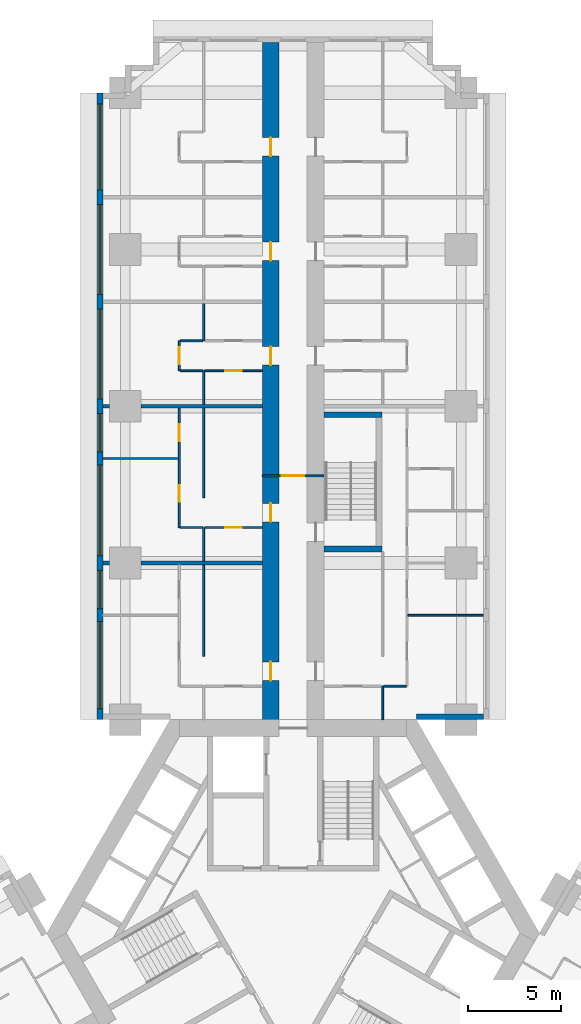
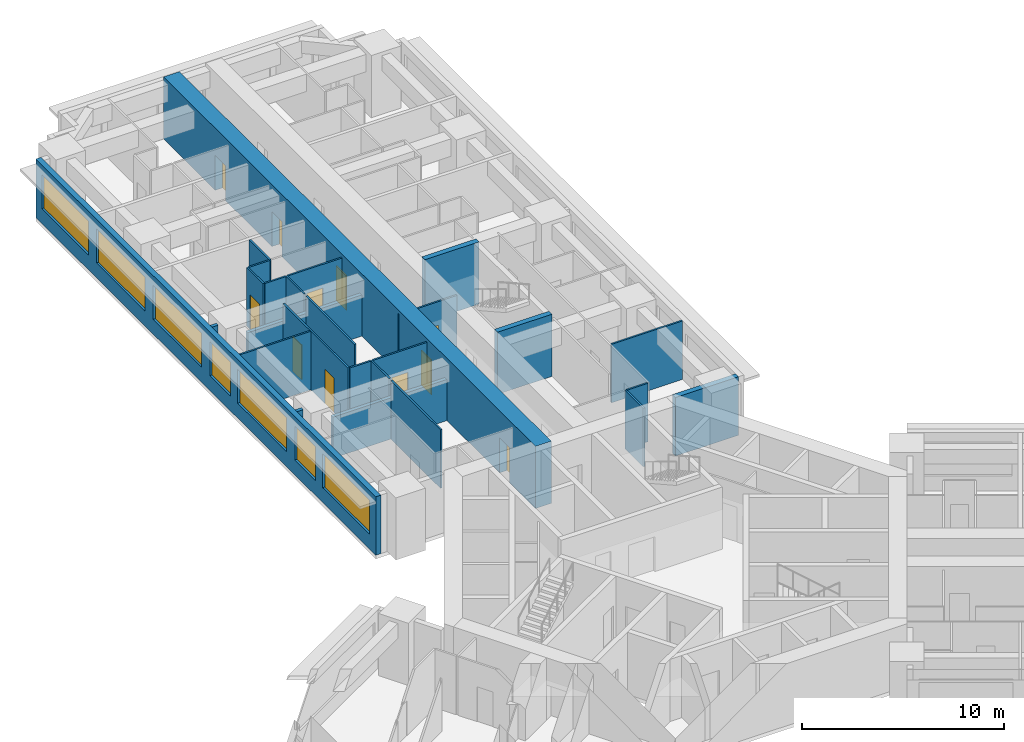
# One storey, part 9 of 16: 26 walls, 11 doors, 7 windows, 18 openings.
"""IFC4 building model written with IfcOpenShell, lengths in metres."""

from ifc_helpers import new_model, si_unit, direction, frame, frame_2d, origin, place, context, subcontext, project, spatial, rectangle, extrude, material, layer, layer_set, type_object, element, fill, save


model = new_model("IFC4")

# Units and contexts
model_context = context("Model", 3, precision=1e-05, world=origin(), true_north=direction((0.0, 1.0)))
body_context = subcontext(model_context, "Body", "Model", "MODEL_VIEW")
ifc_project = project(units=[si_unit("LENGTHUNIT", "METRE"), si_unit("AREAUNIT", "SQUARE_METRE"), si_unit("VOLUMEUNIT", "CUBIC_METRE"), si_unit("PLANEANGLEUNIT", "RADIAN"), si_unit("MASSUNIT", "GRAM", prefix="KILO")], contexts=[model_context])

# Site, building, storey
site_placement = place(None, origin())
site = spatial("IfcSite", under=ifc_project, at=site_placement, CompositionType="ELEMENT")
building_placement = place(site_placement, origin())
building = spatial("IfcBuilding", under=site, at=building_placement, Name="Impinga Residences", CompositionType="ELEMENT")
storey_placement = place(building_placement, frame((0.0, 0.0, 44.75)))
storey = spatial("IfcBuildingStorey", under=building, at=storey_placement, Name="L10", CompositionType="ELEMENT", Elevation=44.75)

# Wall, openings, doors
ifc_material_1 = material(Name="Concrete C70/85", Category="concrete")
ifc_layer_1 = layer(ifc_material_1, 0.89990234375)
ifc_layer_set_1 = layer_set([ifc_layer_1], Name="Concrete C70/85")
wall_type_1 = type_object("IfcWallType", Name="BW1 corridor buttress wall, L05 to L22 900", PredefinedType="SHEAR", material=ifc_layer_set_1)
wall_1_placement = place(storey_placement, frame((-1.199951171875, 10.9814453125, 0.0), z_axis=(0.0, 0.0, 1.0), x_axis=(0.0, 1.0, 0.0)))
wall_1 = element("IfcWall", 1, at=wall_1_placement, inside=storey, type_object=wall_type_1, Name="Corridor wall BW1 NC L10", PredefinedType="SHEAR", context=body_context, shape_type="SweptSolid", body=[
    extrude(rectangle(XDim=36.75, YDim=0.89990234375, at=frame_2d((18.375, 0.0))), origin(), (0.0, 0.0, 1.0), 3.75),
])
opening_1_placement = place(wall_1_placement, frame((2.550048828125, 0.0, 0.0)))
opening_1 = element("IfcOpeningElement", 2, at=opening_1_placement, cuts=wall_1, Name="Opening D1", PredefinedType="OPENING", context=body_context, shape_type="SweptSolid", body=[
    extrude(rectangle(XDim=1.0, YDim=2.10009765625, at=frame_2d((0.5, 1.050048828125))), frame((0.0, 0.4599609375, 0.0), z_axis=(0.0, -1.0, 0.0), x_axis=(1.0, 0.0, 0.0)), (0.0, 0.0, 1.0), 0.919921875),
])
opening_2_placement = place(wall_1_placement, frame((11.050048828125, 0.0, 0.0)))
opening_2 = element("IfcOpeningElement", 3, at=opening_2_placement, cuts=wall_1, Name="Opening D1", PredefinedType="OPENING", context=body_context, shape_type="SweptSolid", body=[
    extrude(rectangle(XDim=1.0, YDim=2.10009765625, at=frame_2d((0.5, 1.050048828125))), frame((0.0, 0.4599609375, 0.0), z_axis=(0.0, -1.0, 0.0), x_axis=(1.0, 0.0, 0.0)), (0.0, 0.0, 1.0), 0.919921875),
])
opening_3_placement = place(wall_1_placement, frame((19.449951171875, 0.0, 0.0)))
opening_3 = element("IfcOpeningElement", 4, at=opening_3_placement, cuts=wall_1, Name="Opening D1", PredefinedType="OPENING", context=body_context, shape_type="SweptSolid", body=[
    extrude(rectangle(XDim=1.0, YDim=2.10009765625, at=frame_2d((0.5, 1.050048828125))), frame((0.0, 0.4599609375, 0.0), z_axis=(0.0, -1.0, 0.0), x_axis=(1.0, 0.0, 0.0)), (0.0, 0.0, 1.0), 0.919921875),
])
opening_4_placement = place(wall_1_placement, frame((25.050048828125, 0.0, 0.0)))
opening_4 = element("IfcOpeningElement", 5, at=opening_4_placement, cuts=wall_1, Name="Opening D1", PredefinedType="OPENING", context=body_context, shape_type="SweptSolid", body=[
    extrude(rectangle(XDim=1.0, YDim=2.10009765625, at=frame_2d((0.5, 1.050048828125))), frame((0.0, 0.4599609375, 0.0), z_axis=(0.0, -1.0, 0.0), x_axis=(1.0, 0.0, 0.0)), (0.0, 0.0, 1.0), 0.919921875),
])
opening_5_placement = place(wall_1_placement, frame((30.64990234375, 0.0, 0.0)))
opening_5 = element("IfcOpeningElement", 6, at=opening_5_placement, cuts=wall_1, Name="Opening D1", PredefinedType="OPENING", context=body_context, shape_type="SweptSolid", body=[
    extrude(rectangle(XDim=1.0, YDim=2.10009765625, at=frame_2d((0.5, 1.050048828125))), frame((0.0, 0.4599609375, 0.0), z_axis=(0.0, -1.0, 0.0), x_axis=(1.0, 0.0, 0.0)), (0.0, 0.0, 1.0), 0.919921875),
])
ifc_material_2 = material(Name="Timber door set", Category="wood")
door_type_1 = type_object("IfcDoorType", Name="D1 apartment entrance door 1000x2100", OperationType="SINGLE_SWING_LEFT", PredefinedType="DOOR", material=ifc_material_2)
door_1_placement = place(opening_1_placement, origin())
door_1 = element("IfcDoor", 7, at=door_1_placement, inside=storey, type_object=door_type_1, Name="Apartment L10-NA1 entrance", OperationType="SINGLE_SWING_LEFT", OverallHeight=2.10009765625, OverallWidth=1.0, PredefinedType="DOOR", context=body_context, shape_type="SweptSolid", body=[
    extrude(rectangle(XDim=1.0, YDim=2.10009765625, at=frame_2d((0.5, 1.050048828125))), frame((0.0, 0.02490234375, 0.0), z_axis=(0.0, -1.0, 0.0), x_axis=(1.0, 0.0, 0.0)), (0.0, 0.0, 1.0), 0.050048828125),
])
fill(opening_1, door_1)
door_2_placement = place(opening_2_placement, origin())
door_2 = element("IfcDoor", 8, at=door_2_placement, inside=storey, type_object=door_type_1, Name="Apartment L10-NA2 entrance", OperationType="SINGLE_SWING_LEFT", OverallHeight=2.10009765625, OverallWidth=1.0, PredefinedType="DOOR", context=body_context, shape_type="SweptSolid", body=[
    extrude(rectangle(XDim=1.0, YDim=2.10009765625, at=frame_2d((0.5, 1.050048828125))), frame((0.0, 0.02490234375, 0.0), z_axis=(0.0, -1.0, 0.0), x_axis=(1.0, 0.0, 0.0)), (0.0, 0.0, 1.0), 0.050048828125),
])
fill(opening_2, door_2)
door_3_placement = place(opening_3_placement, origin())
door_3 = element("IfcDoor", 9, at=door_3_placement, inside=storey, type_object=door_type_1, Name="Apartment L10-NA3 entrance", OperationType="SINGLE_SWING_RIGHT", OverallHeight=2.10009765625, OverallWidth=1.0, PredefinedType="DOOR", context=body_context, shape_type="SweptSolid", body=[
    extrude(rectangle(XDim=1.0, YDim=2.10009765625, at=frame_2d((0.5, 1.050048828125))), frame((0.0, 0.02490234375, 0.0), z_axis=(0.0, -1.0, 0.0), x_axis=(1.0, 0.0, 0.0)), (0.0, 0.0, 1.0), 0.050048828125),
])
fill(opening_3, door_3)
door_4_placement = place(opening_4_placement, origin())
door_4 = element("IfcDoor", 10, at=door_4_placement, inside=storey, type_object=door_type_1, Name="Apartment L10-NA4 entrance", OperationType="SINGLE_SWING_RIGHT", OverallHeight=2.10009765625, OverallWidth=1.0, PredefinedType="DOOR", context=body_context, shape_type="SweptSolid", body=[
    extrude(rectangle(XDim=1.0, YDim=2.10009765625, at=frame_2d((0.5, 1.050048828125))), frame((0.0, 0.02490234375, 0.0), z_axis=(0.0, -1.0, 0.0), x_axis=(1.0, 0.0, 0.0)), (0.0, 0.0, 1.0), 0.050048828125),
])
fill(opening_4, door_4)
door_5_placement = place(opening_5_placement, origin())
door_5 = element("IfcDoor", 11, at=door_5_placement, inside=storey, type_object=door_type_1, Name="Apartment L10-NA5 entrance", OperationType="SINGLE_SWING_RIGHT", OverallHeight=2.10009765625, OverallWidth=1.0, PredefinedType="DOOR", context=body_context, shape_type="SweptSolid", body=[
    extrude(rectangle(XDim=1.0, YDim=2.10009765625, at=frame_2d((0.5, 1.050048828125))), frame((0.0, 0.02490234375, 0.0), z_axis=(0.0, -1.0, 0.0), x_axis=(1.0, 0.0, 0.0)), (0.0, 0.0, 1.0), 0.050048828125),
])
fill(opening_5, door_5)

# Wall, opening, door
ifc_material_3 = material(Name="Concrete blockwork", Category="masonry")
ifc_layer_2 = layer(ifc_material_3, 0.10009765625)
ifc_layer_set_2 = layer_set([ifc_layer_2], Name="CP1 core room partition, blockwork 100")
wall_type_2 = type_object("IfcWallType", Name="CP1 core room partition, blockwork 100", PredefinedType="PARTITIONING", material=ifc_layer_set_2)
wall_2_placement = place(storey_placement, frame((-1.64990234375, 24.5, 0.0), z_axis=(0.0, 0.0, 1.0), x_axis=(1.0, 0.0, 0.0)))
wall_2 = element("IfcWall", 12, at=wall_2_placement, inside=storey, type_object=wall_type_2, Name="Core room partition, blockwork L10:N:SCR", PredefinedType="PARTITIONING", context=body_context, shape_type="SweptSolid", body=[
    extrude(rectangle(XDim=3.2998046875, YDim=0.10009765625, at=frame_2d((1.64990234375, 0.0))), origin(), (0.0, 0.0, 1.0), 3.530029296875),
])
opening_6_placement = place(wall_2_placement, frame((1.050048828125, 0.0, 0.0)))
opening_6 = element("IfcOpeningElement", 13, at=opening_6_placement, cuts=wall_2, Name="Opening D3", PredefinedType="OPENING", context=body_context, shape_type="SweptSolid", body=[
    extrude(rectangle(XDim=1.199951171875, YDim=2.10009765625, at=frame_2d((0.60009765625, 1.050048828125))), frame((0.0, 0.06005859375, 0.0), z_axis=(0.0, -1.0, 0.0), x_axis=(1.0, 0.0, 0.0)), (0.0, 0.0, 1.0), 0.1201171875),
])
door_type_2 = type_object("IfcDoorType", Name="D3 room door, leaf and a half 1200x2100", OperationType="DOUBLE_SWING_LEFT", PredefinedType="DOOR", material=ifc_material_2)
door_6_placement = place(opening_6_placement, origin())
door_6 = element("IfcDoor", 14, at=door_6_placement, inside=storey, type_object=door_type_2, Name="Corridor smoke door N", OperationType="DOUBLE_SWING_LEFT", OverallHeight=2.10009765625, OverallWidth=1.199951171875, PredefinedType="DOOR", context=body_context, shape_type="SweptSolid", body=[
    extrude(rectangle(XDim=1.199951171875, YDim=2.10009765625, at=frame_2d((0.60009765625, 1.050048828125))), frame((0.0, 0.02490234375, 0.0), z_axis=(0.0, -1.0, 0.0), x_axis=(1.0, 0.0, 0.0)), (0.0, 0.0, 1.0), 0.050048828125),
])
fill(opening_6, door_6)

# Wall, openings, windows
ifc_material_4 = material(Name="Terracotta rainscreen on blockwork", Category="masonry")
ifc_layer_3 = layer(ifc_material_4, 0.300048828125)
ifc_layer_set_3 = layer_set([ifc_layer_3], Name="EW1 external wall, terracotta rainscreen on blockwork 300")
wall_type_3 = type_object("IfcWallType", Name="EW1 external wall, terracotta rainscreen on blockwork 300", PredefinedType="SOLIDWALL", material=ifc_layer_set_3)
wall_3_placement = place(storey_placement, frame((-10.35009765625, 11.431640625, 0.0), z_axis=(0.0, 0.0, 1.0), x_axis=(0.0, 1.0, 0.0)))
wall_3 = element("IfcWall", 15, at=wall_3_placement, inside=storey, type_object=wall_type_3, Name="External wall EW1 L10", PredefinedType="SOLIDWALL", context=body_context, shape_type="SweptSolid", body=[
    extrude(rectangle(XDim=33.599853515625, YDim=0.300048828125, at=frame_2d((16.7998046875, 0.0))), origin(), (0.0, 0.0, 1.0), 3.530029296875),
])
opening_7_placement = place(wall_3_placement, frame((0.60009765625, 0.0, 0.89990234375)))
opening_7 = element("IfcOpeningElement", 16, at=opening_7_placement, cuts=wall_3, Name="Opening W10", PredefinedType="OPENING", context=body_context, shape_type="SweptSolid", body=[
    extrude(rectangle(XDim=4.64990234375, YDim=2.050048828125, at=frame_2d((2.324951171875, 1.02490234375))), frame((0.0, 0.159912109375, 0.0), z_axis=(0.0, -1.0, 0.0), x_axis=(1.0, 0.0, 0.0)), (0.0, 0.0, 1.0), 0.320068359375),
])
opening_8_placement = place(wall_3_placement, frame((5.949951171875, 0.0, 0.89990234375)))
opening_8 = element("IfcOpeningElement", 17, at=opening_8_placement, cuts=wall_3, Name="Opening W14", PredefinedType="OPENING", context=body_context, shape_type="SweptSolid", body=[
    extrude(rectangle(XDim=2.050048828125, YDim=2.050048828125, at=frame_2d((1.02490234375, 1.02490234375))), frame((0.0, 0.159912109375, 0.0), z_axis=(0.0, -1.0, 0.0), x_axis=(1.0, 0.0, 0.0)), (0.0, 0.0, 1.0), 0.320068359375),
])
opening_9_placement = place(wall_3_placement, frame((8.800048828125, 0.0, 0.89990234375)))
opening_9 = element("IfcOpeningElement", 18, at=opening_9_placement, cuts=wall_3, Name="Opening W6", PredefinedType="OPENING", context=body_context, shape_type="SweptSolid", body=[
    extrude(rectangle(XDim=4.85009765625, YDim=2.050048828125, at=frame_2d((2.425048828125, 1.02490234375))), frame((0.0, 0.159912109375, 0.0), z_axis=(0.0, -1.0, 0.0), x_axis=(1.0, 0.0, 0.0)), (0.0, 0.0, 1.0), 0.320068359375),
])
opening_10_placement = place(wall_3_placement, frame((14.35009765625, 0.0, 0.89990234375)))
opening_10 = element("IfcOpeningElement", 19, at=opening_10_placement, cuts=wall_3, Name="Opening W14", PredefinedType="OPENING", context=body_context, shape_type="SweptSolid", body=[
    extrude(rectangle(XDim=2.050048828125, YDim=2.050048828125, at=frame_2d((1.02490234375, 1.02490234375))), frame((0.0, 0.159912109375, 0.0), z_axis=(0.0, -1.0, 0.0), x_axis=(1.0, 0.0, 0.0)), (0.0, 0.0, 1.0), 0.320068359375),
])
opening_11_placement = place(wall_3_placement, frame((17.199951171875, 0.0, 0.89990234375)))
opening_11 = element("IfcOpeningElement", 20, at=opening_11_placement, cuts=wall_3, Name="Opening W8", PredefinedType="OPENING", context=body_context, shape_type="SweptSolid", body=[
    extrude(rectangle(XDim=4.800048828125, YDim=2.050048828125, at=frame_2d((2.39990234375, 1.02490234375))), frame((0.0, 0.159912109375, 0.0), z_axis=(0.0, -1.0, 0.0), x_axis=(1.0, 0.0, 0.0)), (0.0, 0.0, 1.0), 0.320068359375),
])
opening_12_placement = place(wall_3_placement, frame((22.800048828125, 0.0, 0.89990234375)))
opening_12 = element("IfcOpeningElement", 21, at=opening_12_placement, cuts=wall_3, Name="Opening W8", PredefinedType="OPENING", context=body_context, shape_type="SweptSolid", body=[
    extrude(rectangle(XDim=4.800048828125, YDim=2.050048828125, at=frame_2d((2.39990234375, 1.02490234375))), frame((0.0, 0.159912109375, 0.0), z_axis=(0.0, -1.0, 0.0), x_axis=(1.0, 0.0, 0.0)), (0.0, 0.0, 1.0), 0.320068359375),
])
opening_13_placement = place(wall_3_placement, frame((28.39990234375, 0.0, 0.89990234375)))
opening_13 = element("IfcOpeningElement", 22, at=opening_13_placement, cuts=wall_3, Name="Opening W3", PredefinedType="OPENING", context=body_context, shape_type="SweptSolid", body=[
    extrude(rectangle(XDim=4.60009765625, YDim=2.050048828125, at=frame_2d((2.300048828125, 1.02490234375))), frame((0.0, 0.159912109375, 0.0), z_axis=(0.0, -1.0, 0.0), x_axis=(1.0, 0.0, 0.0)), (0.0, 0.0, 1.0), 0.320068359375),
])
ifc_material_5 = material(Name="Aluminium window, clear double glazing", Category="aluminium")
window_type_1 = type_object("IfcWindowType", Name="W10 ribbon window 4650x2050", PartitioningType="SINGLE_PANEL", PredefinedType="WINDOW", material=ifc_material_5)
window_1_placement = place(opening_7_placement, origin())
window_1 = element("IfcWindow", 23, at=window_1_placement, inside=storey, type_object=window_type_1, Name="Window L10", OverallHeight=2.050048828125, OverallWidth=4.64990234375, PartitioningType="SINGLE_PANEL", PredefinedType="WINDOW", context=body_context, shape_type="SweptSolid", body=[
    extrude(rectangle(XDim=4.64990234375, YDim=2.050048828125, at=frame_2d((2.324951171875, 1.02490234375))), frame((0.0, 0.030029296875, 0.0), z_axis=(0.0, -1.0, 0.0), x_axis=(1.0, 0.0, 0.0)), (0.0, 0.0, 1.0), 0.06005859375),
])
fill(opening_7, window_1)
window_type_2 = type_object("IfcWindowType", Name="W14 ribbon window 2050x2050", PartitioningType="SINGLE_PANEL", PredefinedType="WINDOW", material=ifc_material_5)
window_2_placement = place(opening_8_placement, origin())
window_2 = element("IfcWindow", 24, at=window_2_placement, inside=storey, type_object=window_type_2, Name="Window L10", OverallHeight=2.050048828125, OverallWidth=2.050048828125, PartitioningType="SINGLE_PANEL", PredefinedType="WINDOW", context=body_context, shape_type="SweptSolid", body=[
    extrude(rectangle(XDim=2.050048828125, YDim=2.050048828125, at=frame_2d((1.02490234375, 1.02490234375))), frame((0.0, 0.030029296875, 0.0), z_axis=(0.0, -1.0, 0.0), x_axis=(1.0, 0.0, 0.0)), (0.0, 0.0, 1.0), 0.06005859375),
])
fill(opening_8, window_2)
window_3_placement = place(opening_10_placement, origin())
window_3 = element("IfcWindow", 25, at=window_3_placement, inside=storey, type_object=window_type_2, Name="Window L10", OverallHeight=2.050048828125, OverallWidth=2.050048828125, PartitioningType="SINGLE_PANEL", PredefinedType="WINDOW", context=body_context, shape_type="SweptSolid", body=[
    extrude(rectangle(XDim=2.050048828125, YDim=2.050048828125, at=frame_2d((1.02490234375, 1.02490234375))), frame((0.0, 0.030029296875, 0.0), z_axis=(0.0, -1.0, 0.0), x_axis=(1.0, 0.0, 0.0)), (0.0, 0.0, 1.0), 0.06005859375),
])
fill(opening_10, window_3)
window_type_3 = type_object("IfcWindowType", Name="W3 ribbon window 4600x2050", PartitioningType="SINGLE_PANEL", PredefinedType="WINDOW", material=ifc_material_5)
window_4_placement = place(opening_13_placement, origin())
window_4 = element("IfcWindow", 26, at=window_4_placement, inside=storey, type_object=window_type_3, Name="Window L10", OverallHeight=2.050048828125, OverallWidth=4.60009765625, PartitioningType="SINGLE_PANEL", PredefinedType="WINDOW", context=body_context, shape_type="SweptSolid", body=[
    extrude(rectangle(XDim=4.60009765625, YDim=2.050048828125, at=frame_2d((2.300048828125, 1.02490234375))), frame((0.0, 0.030029296875, 0.0), z_axis=(0.0, -1.0, 0.0), x_axis=(1.0, 0.0, 0.0)), (0.0, 0.0, 1.0), 0.06005859375),
])
fill(opening_13, window_4)
window_type_4 = type_object("IfcWindowType", Name="W6 ribbon window 4850x2050", PartitioningType="SINGLE_PANEL", PredefinedType="WINDOW", material=ifc_material_5)
window_5_placement = place(opening_9_placement, origin())
window_5 = element("IfcWindow", 27, at=window_5_placement, inside=storey, type_object=window_type_4, Name="Window L10", OverallHeight=2.050048828125, OverallWidth=4.85009765625, PartitioningType="SINGLE_PANEL", PredefinedType="WINDOW", context=body_context, shape_type="SweptSolid", body=[
    extrude(rectangle(XDim=4.85009765625, YDim=2.050048828125, at=frame_2d((2.425048828125, 1.02490234375))), frame((0.0, 0.030029296875, 0.0), z_axis=(0.0, -1.0, 0.0), x_axis=(1.0, 0.0, 0.0)), (0.0, 0.0, 1.0), 0.06005859375),
])
fill(opening_9, window_5)
window_type_5 = type_object("IfcWindowType", Name="W8 ribbon window 4800x2050", PartitioningType="SINGLE_PANEL", PredefinedType="WINDOW", material=ifc_material_5)
window_6_placement = place(opening_11_placement, origin())
window_6 = element("IfcWindow", 28, at=window_6_placement, inside=storey, type_object=window_type_5, Name="Window L10", OverallHeight=2.050048828125, OverallWidth=4.800048828125, PartitioningType="SINGLE_PANEL", PredefinedType="WINDOW", context=body_context, shape_type="SweptSolid", body=[
    extrude(rectangle(XDim=4.800048828125, YDim=2.050048828125, at=frame_2d((2.39990234375, 1.02490234375))), frame((0.0, 0.030029296875, 0.0), z_axis=(0.0, -1.0, 0.0), x_axis=(1.0, 0.0, 0.0)), (0.0, 0.0, 1.0), 0.06005859375),
])
fill(opening_11, window_6)
window_7_placement = place(opening_12_placement, origin())
window_7 = element("IfcWindow", 29, at=window_7_placement, inside=storey, type_object=window_type_5, Name="Window L10", OverallHeight=2.050048828125, OverallWidth=4.800048828125, PartitioningType="SINGLE_PANEL", PredefinedType="WINDOW", context=body_context, shape_type="SweptSolid", body=[
    extrude(rectangle(XDim=4.800048828125, YDim=2.050048828125, at=frame_2d((2.39990234375, 1.02490234375))), frame((0.0, 0.030029296875, 0.0), z_axis=(0.0, -1.0, 0.0), x_axis=(1.0, 0.0, 0.0)), (0.0, 0.0, 1.0), 0.06005859375),
])
fill(opening_12, window_7)

# Walls
wall_4_placement = place(storey_placement, frame((10.199951171875, 11.58154296875, 0.0), z_axis=(0.0, 0.0, 1.0), x_axis=(-1.0, 0.0, 0.0)))
element("IfcWall", 30, at=wall_4_placement, inside=storey, type_object=wall_type_3, Name="External wall EW1 L10", PredefinedType="SOLIDWALL", context=body_context, shape_type="SweptSolid", body=[
    extrude(rectangle(XDim=3.599853515625, YDim=0.300048828125, at=frame_2d((1.7998046875, 0.0))), origin(), (0.0, 0.0, 1.0), 3.530029296875),
])
ifc_material_6 = material(Name="Gypsum board on steel studs", Category="steel")
ifc_layer_4 = layer(ifc_material_6, 0.10009765625)
ifc_layer_set_4 = layer_set([ifc_layer_4], Name="Gypsum board on steel studs")
wall_type_4 = type_object("IfcWallType", Name="IP1 partition 100", PredefinedType="PARTITIONING", material=ifc_layer_set_4)
wall_5_placement = place(storey_placement, frame((-4.800048828125, 14.83154296875, 0.0), z_axis=(0.0, 0.0, 1.0), x_axis=(0.0, 1.0, 0.0)))
element("IfcWall", 31, at=wall_5_placement, inside=storey, type_object=wall_type_4, Name="Partition L10-NA1:DIV1", PredefinedType="PARTITIONING", context=body_context, shape_type="SweptSolid", body=[
    extrude(rectangle(XDim=4.89990234375, YDim=0.10009765625, at=frame_2d((2.449951171875, 0.0))), origin(), (0.0, 0.0, 1.0), 3.530029296875),
])
wall_6_placement = place(storey_placement, frame((-4.800048828125, 19.931640625, 0.0), z_axis=(0.0, 0.0, 1.0), x_axis=(0.0, 1.0, 0.0)))
element("IfcWall", 32, at=wall_6_placement, inside=storey, type_object=wall_type_4, Name="Partition L10-NA2:DIV0", PredefinedType="PARTITIONING", context=body_context, shape_type="SweptSolid", body=[
    extrude(rectangle(XDim=1.7998046875, YDim=0.10009765625, at=frame_2d((0.89990234375, 0.0))), origin(), (0.0, 0.0, 1.0), 3.530029296875),
])
wall_7_placement = place(storey_placement, frame((-4.800048828125, 23.33154296875, 0.0), z_axis=(0.0, 0.0, 1.0), x_axis=(0.0, 1.0, 0.0)))
element("IfcWall", 33, at=wall_7_placement, inside=storey, type_object=wall_type_4, Name="Partition L10-NA2:DIV1", PredefinedType="PARTITIONING", context=body_context, shape_type="SweptSolid", body=[
    extrude(rectangle(XDim=4.800048828125, YDim=0.10009765625, at=frame_2d((2.39990234375, 0.0))), origin(), (0.0, 0.0, 1.0), 3.530029296875),
])

# Wall, openings, doors
wall_8_placement = place(storey_placement, frame((-6.10009765625, 21.7314453125, 0.0), z_axis=(0.0, 0.0, 1.0), x_axis=(0.0, 1.0, 0.0)))
wall_8 = element("IfcWall", 34, at=wall_8_placement, inside=storey, type_object=wall_type_4, Name="Partition L10-NA2:STRIP", PredefinedType="PARTITIONING", context=body_context, shape_type="SweptSolid", body=[
    extrude(rectangle(XDim=6.400146484375, YDim=0.10009765625, at=frame_2d((3.2001953125, 0.0))), origin(), (0.0, 0.0, 1.0), 3.530029296875),
])
opening_14_placement = place(wall_8_placement, frame((1.375, 0.0, 0.0)))
opening_14 = element("IfcOpeningElement", 35, at=opening_14_placement, cuts=wall_8, Name="Opening D2", PredefinedType="OPENING", context=body_context, shape_type="SweptSolid", body=[
    extrude(rectangle(XDim=0.89990234375, YDim=2.10009765625, at=frame_2d((0.449951171875, 1.050048828125))), frame((0.0, 0.06005859375, 0.0), z_axis=(0.0, -1.0, 0.0), x_axis=(1.0, 0.0, 0.0)), (0.0, 0.0, 1.0), 0.1201171875),
])
opening_15_placement = place(wall_8_placement, frame((4.625, 0.0, 0.0)))
opening_15 = element("IfcOpeningElement", 36, at=opening_15_placement, cuts=wall_8, Name="Opening D2", PredefinedType="OPENING", context=body_context, shape_type="SweptSolid", body=[
    extrude(rectangle(XDim=0.89990234375, YDim=2.10009765625, at=frame_2d((0.449951171875, 1.050048828125))), frame((0.0, 0.06005859375, 0.0), z_axis=(0.0, -1.0, 0.0), x_axis=(1.0, 0.0, 0.0)), (0.0, 0.0, 1.0), 0.1201171875),
])
door_type_3 = type_object("IfcDoorType", Name="D2 internal door 900x2100", OperationType="SINGLE_SWING_LEFT", PredefinedType="DOOR", material=ifc_material_2)
door_7_placement = place(opening_14_placement, origin())
door_7 = element("IfcDoor", 37, at=door_7_placement, inside=storey, type_object=door_type_3, Name="Apartment L10-NA2 room door", OperationType="SINGLE_SWING_LEFT", OverallHeight=2.10009765625, OverallWidth=0.89990234375, PredefinedType="DOOR", context=body_context, shape_type="SweptSolid", body=[
    extrude(rectangle(XDim=0.89990234375, YDim=2.10009765625, at=frame_2d((0.449951171875, 1.050048828125))), frame((0.0, 0.02490234375, 0.0), z_axis=(0.0, -1.0, 0.0), x_axis=(1.0, 0.0, 0.0)), (0.0, 0.0, 1.0), 0.050048828125),
])
fill(opening_14, door_7)
door_8_placement = place(opening_15_placement, origin())
door_8 = element("IfcDoor", 38, at=door_8_placement, inside=storey, type_object=door_type_3, Name="Apartment L10-NA2 room door", OperationType="SINGLE_SWING_RIGHT", OverallHeight=2.10009765625, OverallWidth=0.89990234375, PredefinedType="DOOR", context=body_context, shape_type="SweptSolid", body=[
    extrude(rectangle(XDim=0.89990234375, YDim=2.10009765625, at=frame_2d((0.449951171875, 1.050048828125))), frame((0.0, 0.02490234375, 0.0), z_axis=(0.0, -1.0, 0.0), x_axis=(1.0, 0.0, 0.0)), (0.0, 0.0, 1.0), 0.050048828125),
])
fill(opening_15, door_8)

# Wall
wall_9_placement = place(storey_placement, frame((-4.85009765625, 21.7314453125, 0.0), z_axis=(0.0, 0.0, 1.0), x_axis=(-1.0, 0.0, 0.0)))
element("IfcWall", 39, at=wall_9_placement, inside=storey, type_object=wall_type_4, Name="Partition L10-NA2:SE0", PredefinedType="PARTITIONING", context=body_context, shape_type="SweptSolid", body=[
    extrude(rectangle(XDim=1.199951171875, YDim=0.10009765625, at=frame_2d((0.60009765625, 0.0))), origin(), (0.0, 0.0, 1.0), 3.530029296875),
])

# Wall, opening, door
wall_10_placement = place(storey_placement, frame((-1.64990234375, 21.7314453125, 0.0), z_axis=(0.0, 0.0, 1.0), x_axis=(-1.0, 0.0, 0.0)))
wall_10 = element("IfcWall", 40, at=wall_10_placement, inside=storey, type_object=wall_type_4, Name="Partition L10-NA2:IB1", PredefinedType="PARTITIONING", context=body_context, shape_type="SweptSolid", body=[
    extrude(rectangle(XDim=3.10009765625, YDim=0.10009765625, at=frame_2d((1.550048828125, 0.0))), origin(), (0.0, 0.0, 1.0), 3.530029296875),
])
opening_16_placement = place(wall_10_placement, frame((1.10009765625, 0.0, 0.0)))
opening_16 = element("IfcOpeningElement", 41, at=opening_16_placement, cuts=wall_10, Name="Opening D2", PredefinedType="OPENING", context=body_context, shape_type="SweptSolid", body=[
    extrude(rectangle(XDim=0.89990234375, YDim=2.10009765625, at=frame_2d((0.449951171875, 1.050048828125))), frame((0.0, 0.06005859375, 0.0), z_axis=(0.0, -1.0, 0.0), x_axis=(1.0, 0.0, 0.0)), (0.0, 0.0, 1.0), 0.1201171875),
])
door_9_placement = place(opening_16_placement, origin())
door_9 = element("IfcDoor", 42, at=door_9_placement, inside=storey, type_object=door_type_3, Name="Apartment L10-NA2 bathroom door", OperationType="SINGLE_SWING_LEFT", OverallHeight=2.10009765625, OverallWidth=0.89990234375, PredefinedType="DOOR", context=body_context, shape_type="SweptSolid", body=[
    extrude(rectangle(XDim=0.89990234375, YDim=2.10009765625, at=frame_2d((0.449951171875, 1.050048828125))), frame((0.0, 0.02490234375, 0.0), z_axis=(0.0, -1.0, 0.0), x_axis=(1.0, 0.0, 0.0)), (0.0, 0.0, 1.0), 0.050048828125),
])
fill(opening_16, door_9)

# Walls
wall_11_placement = place(storey_placement, frame((-6.14990234375, 25.431640625, 0.0), z_axis=(0.0, 0.0, 1.0), x_axis=(-1.0, 0.0, 0.0)))
element("IfcWall", 43, at=wall_11_placement, inside=storey, type_object=wall_type_4, Name="Partition L10-NA2:OB1", PredefinedType="PARTITIONING", context=body_context, shape_type="SweptSolid", body=[
    extrude(rectangle(XDim=4.050048828125, YDim=0.10009765625, at=frame_2d((2.02490234375, 0.0))), origin(), (0.0, 0.0, 1.0), 3.530029296875),
])
wall_12_placement = place(storey_placement, frame((-4.800048828125, 28.33154296875, 0.0), z_axis=(0.0, 0.0, 1.0), x_axis=(0.0, 1.0, 0.0)))
element("IfcWall", 44, at=wall_12_placement, inside=storey, type_object=wall_type_4, Name="Partition L10-NA3:DIV0", PredefinedType="PARTITIONING", context=body_context, shape_type="SweptSolid", body=[
    extrude(rectangle(XDim=1.800048828125, YDim=0.10009765625, at=frame_2d((0.89990234375, 0.0))), origin(), (0.0, 0.0, 1.0), 3.530029296875),
])
wall_13_placement = place(storey_placement, frame((-4.800048828125, 31.7314453125, 0.0), z_axis=(0.0, 0.0, 1.0), x_axis=(0.0, 1.0, 0.0)))
element("IfcWall", 45, at=wall_13_placement, inside=storey, type_object=wall_type_4, Name="Partition L10-NA3:DIV1", PredefinedType="PARTITIONING", context=body_context, shape_type="SweptSolid", body=[
    extrude(rectangle(XDim=2.0, YDim=0.10009765625, at=frame_2d((1.0, 0.0))), origin(), (0.0, 0.0, 1.0), 3.530029296875),
])

# Wall, opening, door
wall_14_placement = place(storey_placement, frame((-6.10009765625, 30.131591796875, 0.0), z_axis=(0.0, 0.0, 1.0), x_axis=(0.0, 1.0, 0.0)))
wall_14 = element("IfcWall", 46, at=wall_14_placement, inside=storey, type_object=wall_type_4, Name="Partition L10-NA3:STRIP", PredefinedType="PARTITIONING", context=body_context, shape_type="SweptSolid", body=[
    extrude(rectangle(XDim=1.599853515625, YDim=0.10009765625, at=frame_2d((0.7998046875, 0.0))), origin(), (0.0, 0.0, 1.0), 3.530029296875),
])
opening_17_placement = place(wall_14_placement, frame((0.35009765625, 0.0, 0.0)))
opening_17 = element("IfcOpeningElement", 47, at=opening_17_placement, cuts=wall_14, Name="Opening D2", PredefinedType="OPENING", context=body_context, shape_type="SweptSolid", body=[
    extrude(rectangle(XDim=0.89990234375, YDim=2.10009765625, at=frame_2d((0.449951171875, 1.050048828125))), frame((0.0, 0.06005859375, 0.0), z_axis=(0.0, -1.0, 0.0), x_axis=(1.0, 0.0, 0.0)), (0.0, 0.0, 1.0), 0.1201171875),
])
door_10_placement = place(opening_17_placement, origin())
door_10 = element("IfcDoor", 48, at=door_10_placement, inside=storey, type_object=door_type_3, Name="Apartment L10-NA3 room door", OperationType="SINGLE_SWING_LEFT", OverallHeight=2.10009765625, OverallWidth=0.89990234375, PredefinedType="DOOR", context=body_context, shape_type="SweptSolid", body=[
    extrude(rectangle(XDim=0.89990234375, YDim=2.10009765625, at=frame_2d((0.449951171875, 1.050048828125))), frame((0.0, 0.02490234375, 0.0), z_axis=(0.0, -1.0, 0.0), x_axis=(1.0, 0.0, 0.0)), (0.0, 0.0, 1.0), 0.050048828125),
])
fill(opening_17, door_10)

# Walls
for number, where, z_axis, x_axis, name in (
    (49, (-4.85009765625, 30.131591796875, 0.0), (0.0, 0.0, 1.0), (-1.0, 0.0, 0.0), "Partition L10-NA3:SE0"),
    (50, (-4.85009765625, 31.7314453125, 0.0), (0.0, 0.0, 1.0), (-1.0, 0.0, 0.0), "Partition L10-NA3:SE1"),
):
    element("IfcWall", number, at=place(storey_placement, frame(where, z_axis=z_axis, x_axis=x_axis)), inside=storey, type_object=wall_type_4, Name=name, PredefinedType="PARTITIONING", context=body_context, shape_type="SweptSolid", body=[
        extrude(rectangle(XDim=1.199951171875, YDim=0.10009765625, at=frame_2d((0.60009765625, 0.0))), origin(), (0.0, 0.0, 1.0), 3.530029296875),
    ])

# Wall, opening, door
wall_15_placement = place(storey_placement, frame((-1.64990234375, 30.131591796875, 0.0), z_axis=(0.0, 0.0, 1.0), x_axis=(-1.0, 0.0, 0.0)))
wall_15 = element("IfcWall", 51, at=wall_15_placement, inside=storey, type_object=wall_type_4, Name="Partition L10-NA3:IB1", PredefinedType="PARTITIONING", context=body_context, shape_type="SweptSolid", body=[
    extrude(rectangle(XDim=3.10009765625, YDim=0.10009765625, at=frame_2d((1.550048828125, 0.0))), origin(), (0.0, 0.0, 1.0), 3.530029296875),
])
opening_18_placement = place(wall_15_placement, frame((1.10009765625, 0.0, 0.0)))
opening_18 = element("IfcOpeningElement", 52, at=opening_18_placement, cuts=wall_15, Name="Opening D2", PredefinedType="OPENING", context=body_context, shape_type="SweptSolid", body=[
    extrude(rectangle(XDim=0.89990234375, YDim=2.10009765625, at=frame_2d((0.449951171875, 1.050048828125))), frame((0.0, 0.06005859375, 0.0), z_axis=(0.0, -1.0, 0.0), x_axis=(1.0, 0.0, 0.0)), (0.0, 0.0, 1.0), 0.1201171875),
])
door_11_placement = place(opening_18_placement, origin())
door_11 = element("IfcDoor", 53, at=door_11_placement, inside=storey, type_object=door_type_3, Name="Apartment L10-NA3 bathroom door", OperationType="SINGLE_SWING_LEFT", OverallHeight=2.10009765625, OverallWidth=0.89990234375, PredefinedType="DOOR", context=body_context, shape_type="SweptSolid", body=[
    extrude(rectangle(XDim=0.89990234375, YDim=2.10009765625, at=frame_2d((0.449951171875, 1.050048828125))), frame((0.0, 0.02490234375, 0.0), z_axis=(0.0, -1.0, 0.0), x_axis=(1.0, 0.0, 0.0)), (0.0, 0.0, 1.0), 0.050048828125),
])
fill(opening_18, door_11)

# Walls
wall_16_placement = place(storey_placement, frame((4.800048828125, 11.431640625, 0.0), z_axis=(0.0, 0.0, 1.0), x_axis=(0.0, 1.0, 0.0)))
element("IfcWall", 54, at=wall_16_placement, inside=storey, type_object=wall_type_4, Name="Partition L10-NF1:DIV0", PredefinedType="PARTITIONING", context=body_context, shape_type="SweptSolid", body=[
    extrude(rectangle(XDim=1.7998046875, YDim=0.10009765625, at=frame_2d((0.89990234375, 0.0))), origin(), (0.0, 0.0, 1.0), 3.530029296875),
])
wall_17_placement = place(storey_placement, frame((4.85009765625, 13.2314453125, 0.0), z_axis=(0.0, 0.0, 1.0), x_axis=(1.0, 0.0, 0.0)))
element("IfcWall", 55, at=wall_17_placement, inside=storey, type_object=wall_type_4, Name="Partition L10-NF1:SE0", PredefinedType="PARTITIONING", context=body_context, shape_type="SweptSolid", body=[
    extrude(rectangle(XDim=1.199951171875, YDim=0.10009765625, at=frame_2d((0.60009765625, 0.0))), origin(), (0.0, 0.0, 1.0), 3.530029296875),
])
wall_18_placement = place(storey_placement, frame((6.14990234375, 17.031494140625, 0.0), z_axis=(0.0, 0.0, 1.0), x_axis=(1.0, 0.0, 0.0)))
element("IfcWall", 56, at=wall_18_placement, inside=storey, type_object=wall_type_4, Name="Partition L10-NF1:OB1", PredefinedType="PARTITIONING", context=body_context, shape_type="SweptSolid", body=[
    extrude(rectangle(XDim=4.050048828125, YDim=0.10009765625, at=frame_2d((2.02490234375, 0.0))), origin(), (0.0, 0.0, 1.0), 3.530029296875),
])
ifc_layer_5 = layer(ifc_material_3, 0.199951171875)
ifc_layer_set_5 = layer_set([ifc_layer_5], Name="PW1 party wall between apartments 200")
wall_type_5 = type_object("IfcWallType", Name="PW1 party wall between apartments 200", PredefinedType="SOLIDWALL", material=ifc_layer_set_5)
wall_19_placement = place(storey_placement, frame((-1.64990234375, 19.83154296875, 0.0), z_axis=(0.0, 0.0, 1.0), x_axis=(-1.0, 0.0, 0.0)))
element("IfcWall", 57, at=wall_19_placement, inside=storey, type_object=wall_type_5, Name="Party wall between apartments L10-NA1:PARTY", PredefinedType="SOLIDWALL", context=body_context, shape_type="SweptSolid", body=[
    extrude(rectangle(XDim=6.5, YDim=0.199951171875, at=frame_2d((3.25, 0.0))), origin(), (0.0, 0.0, 1.0), 2.47998046875),
])
wall_20_placement = place(storey_placement, frame((-9.85009765625, 19.83154296875, 0.0), z_axis=(0.0, 0.0, 1.0), x_axis=(-1.0, 0.0, 0.0)))
element("IfcWall", 58, at=wall_20_placement, inside=storey, type_object=wall_type_5, Name="Party wall between apartments L10-NA1:PARTYb", PredefinedType="SOLIDWALL", context=body_context, shape_type="SweptSolid", body=[
    extrude(rectangle(XDim=0.349853515625, YDim=0.199951171875, at=frame_2d((0.1748046875, 0.0))), origin(), (0.0, 0.0, 1.0), 3.530029296875),
])
wall_21_placement = place(storey_placement, frame((-1.64990234375, 28.2314453125, 0.0), z_axis=(0.0, 0.0, 1.0), x_axis=(-1.0, 0.0, 0.0)))
element("IfcWall", 59, at=wall_21_placement, inside=storey, type_object=wall_type_5, Name="Party wall between apartments L10-NA2:PARTY", PredefinedType="SOLIDWALL", context=body_context, shape_type="SweptSolid", body=[
    extrude(rectangle(XDim=6.5, YDim=0.199951171875, at=frame_2d((3.25, 0.0))), origin(), (0.0, 0.0, 1.0), 2.47998046875),
])
wall_22_placement = place(storey_placement, frame((-9.85009765625, 28.2314453125, 0.0), z_axis=(0.0, 0.0, 1.0), x_axis=(-1.0, 0.0, 0.0)))
element("IfcWall", 60, at=wall_22_placement, inside=storey, type_object=wall_type_5, Name="Party wall between apartments L10-NA2:PARTYb", PredefinedType="SOLIDWALL", context=body_context, shape_type="SweptSolid", body=[
    extrude(rectangle(XDim=0.349853515625, YDim=0.199951171875, at=frame_2d((0.1748046875, 0.0))), origin(), (0.0, 0.0, 1.0), 3.530029296875),
])
ifc_material_7 = material(Name="Concrete C60/75", Category="concrete")
ifc_layer_6 = layer(ifc_material_7, 0.300048828125)
ifc_layer_set_6 = layer_set([ifc_layer_6], Name="Concrete C60/75")
wall_type_6 = type_object("IfcWallType", Name="SE1 wing stair enclosure wall 300", PredefinedType="SOLIDWALL", material=ifc_layer_set_6)
for number, where, z_axis, x_axis, name in (
    (61, (1.64990234375, 20.58154296875, 0.0), (0.0, 0.0, 1.0), (1.0, 0.0, 0.0), "Stair enclosure wall SE1 N END0 L10"),
    (62, (1.64990234375, 27.781494140625, 0.0), (0.0, 0.0, 1.0), (1.0, 0.0, 0.0), "Stair enclosure wall SE1 N END1 L10"),
):
    element("IfcWall", number, at=place(storey_placement, frame(where, z_axis=z_axis, x_axis=x_axis)), inside=storey, type_object=wall_type_6, Name=name, PredefinedType="SOLIDWALL", context=body_context, shape_type="SweptSolid", body=[
        extrude(rectangle(XDim=3.10009765625, YDim=0.300048828125, at=frame_2d((1.550048828125, 0.0))), origin(), (0.0, 0.0, 1.0), 3.75),
    ])

save(model, "model.ifc")
